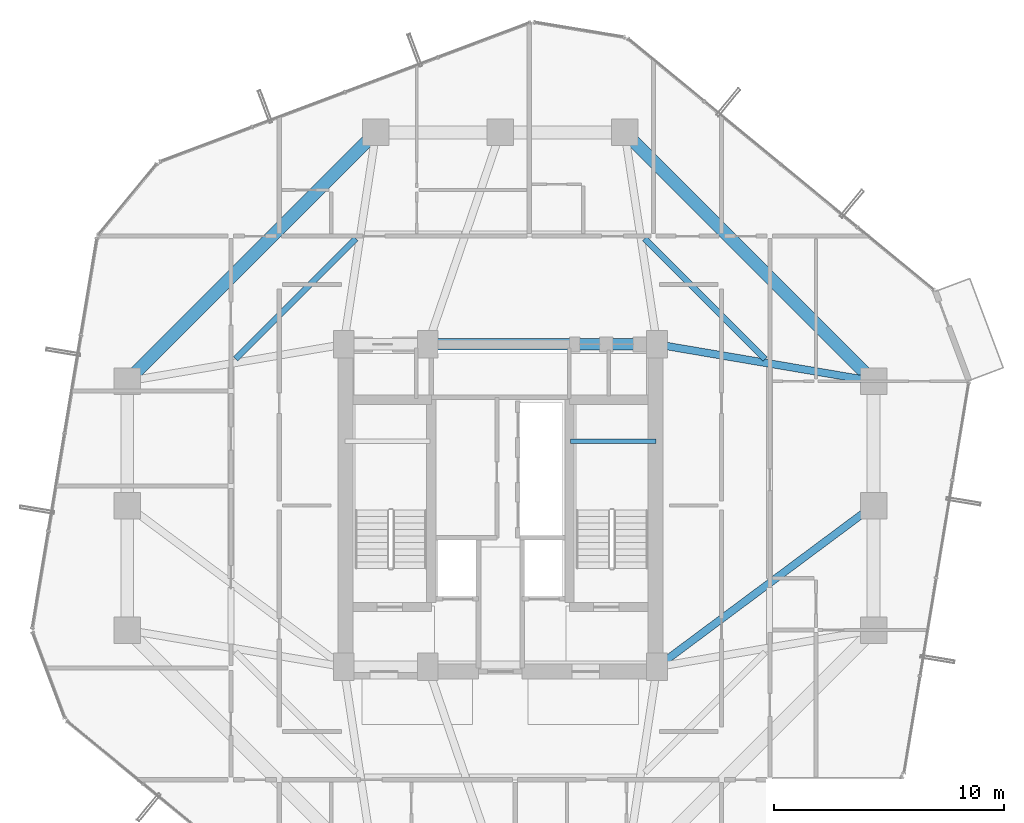
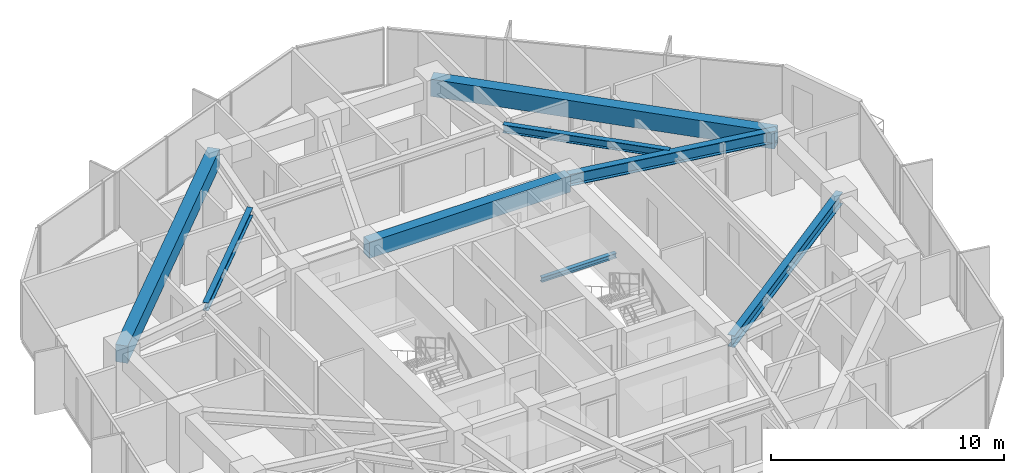
# One storey, part 15 of 30: 8 beams.
"""IFC4 building model written with IfcOpenShell, lengths in metres."""

from ifc_helpers import new_model, si_unit, direction, frame, origin, origin_2d, place, context, subcontext, project, spatial, rectangle, i_section, extrude, material, material_profile, profile_set, type_object, element, save


model = new_model("IFC4")

# Units and contexts
model_context = context("Model", 3, precision=1e-05, world=origin(), true_north=direction((0.0, 1.0)))
body_context = subcontext(model_context, "Body", "Model", "MODEL_VIEW")
ifc_project = project(units=[si_unit("LENGTHUNIT", "METRE"), si_unit("AREAUNIT", "SQUARE_METRE"), si_unit("VOLUMEUNIT", "CUBIC_METRE"), si_unit("PLANEANGLEUNIT", "RADIAN"), si_unit("MASSUNIT", "GRAM", prefix="KILO")], contexts=[model_context])

# Site, building, storey
site_placement = place(None, origin())
site = spatial("IfcSite", under=ifc_project, at=site_placement, CompositionType="ELEMENT")
building_placement = place(site_placement, origin())
building = spatial("IfcBuilding", under=site, at=building_placement, Name="Veraguas Prism Commons", CompositionType="ELEMENT")
storey_placement = place(building_placement, frame((0.0, 0.0, 95.949951171875)))
storey = spatial("IfcBuildingStorey", under=building, at=storey_placement, Name="L26", CompositionType="ELEMENT", Elevation=95.949951171875)

# Beams
ifc_material_1 = material(Name="Concrete C50/60", Category="concrete")
ifc_material_profile_1 = material_profile(ifc_material_1, rectangle(XDim=0.5, YDim=0.85009765625, at=origin_2d()), Name="RC500X850")
ifc_profile_set_1 = profile_set([ifc_material_profile_1], Name="Concrete C50/60")
beam_type_1 = type_object("IfcBeamType", Name="Core Coupling Beam RC 500x850", PredefinedType="BEAM", material=ifc_profile_set_1)
beam_1_placement = place(storey_placement, frame((20.85009765625, 31.0, 2.574951171875), z_axis=(1.0, 0.0, 0.0), x_axis=(0.0, 1.0, 0.0)))
element("IfcBeam", 1, at=beam_1_placement, inside=storey, type_object=beam_type_1, Name="Core Coupling Beam L26-CRN2", PredefinedType="BEAM", context=body_context, shape_type="SweptSolid", body=[
    extrude(rectangle(XDim=0.5, YDim=0.85009765625, at=origin_2d()), origin(), (0.0, 0.0, 1.0), 9.949951171875),
])
ifc_material_2 = material(Name="Steel ASTM A992 Grade 50", Category="steel")
ifc_material_profile_2 = material_profile(ifc_material_2, i_section(OverallWidth=0.260986328125, OverallDepth=0.419921875, WebThickness=0.01171875, FlangeThickness=0.019287109375, at=origin_2d()), Name="W410X114")
ifc_profile_set_2 = profile_set([ifc_material_profile_2], Name="Steel ASTM A992 Grade 50")
beam_type_2 = type_object("IfcBeamType", Name="Lower Floor Joist W410x114", PredefinedType="JOIST", material=ifc_profile_set_2)
for number, where, z_axis, x_axis, name in (
    (2, (35.489990234375, 30.365966796875, 2.7900390625), (-0.707090260193, 0.707123301794, 0.0), (-0.707123301794, -0.707090260193, 0.0), "Composite Floor Joist L26-JS03"),
    (3, (17.734619140625, 35.5908203125, 2.7900390625), (-0.707090260193, -0.707123301794, 0.0), (0.707123301794, -0.707090260193, 0.0), "Composite Floor Joist L26-JS06"),
):
    element("IfcBeam", number, at=place(storey_placement, frame(where, z_axis=z_axis, x_axis=x_axis)), inside=storey, type_object=beam_type_2, Name=name, PredefinedType="JOIST", context=body_context, shape_type="SweptSolid", body=[
        extrude(i_section(OverallWidth=0.260986328125, OverallDepth=0.419921875, WebThickness=0.01171875, FlangeThickness=0.019287109375, at=origin_2d()), origin(), (0.0, 0.0, 1.0), 7.388916015625),
    ])
ifc_material_profile_3 = material_profile(ifc_material_1, rectangle(XDim=0.550048828125, YDim=0.89990234375, at=origin_2d()), Name="RC550X900")
ifc_profile_set_3 = profile_set([ifc_material_profile_3], Name="Concrete C50/60")
beam_type_3 = type_object("IfcBeamType", Name="Perimeter Spandrel Lower RC 550x900", PredefinedType="SPANDREL", material=ifc_profile_set_3)
for number, where, z_axis, x_axis, name in (
    (4, (40.199951171875, 29.39990234375, 2.550048828125), (-0.707106781187, 0.707106781187, 0.0), (-0.707106781187, -0.707106781187, 0.0), "Perimeter Spandrel Beam L26-SP03"),
    (5, (18.60009765625, 40.199951171875, 2.550048828125), (-0.707106781187, -0.707106781187, 0.0), (0.707106781187, -0.707106781187, 0.0), "Perimeter Spandrel Beam L26-SP06"),
):
    element("IfcBeam", number, at=place(storey_placement, frame(where, z_axis=z_axis, x_axis=x_axis)), inside=storey, type_object=beam_type_3, Name=name, PredefinedType="SPANDREL", context=body_context, shape_type="SweptSolid", body=[
        extrude(rectangle(XDim=0.550048828125, YDim=0.89990234375, at=origin_2d()), origin(), (0.0, 0.0, 1.0), 15.273681640625),
    ])
ifc_material_profile_4 = material_profile(ifc_material_2, i_section(OverallWidth=0.202880859375, OverallDepth=0.251953125, WebThickness=0.008056640625, FlangeThickness=0.013427734375, at=origin_2d()), Name="W250X58")
ifc_profile_set_4 = profile_set([ifc_material_profile_4], Name="Steel ASTM A992 Grade 50")
beam_type_4 = type_object("IfcBeamType", Name="Structural Opening Lintel W250x58", PredefinedType="LINTEL", material=ifc_profile_set_4)
beam_2_placement = place(storey_placement, frame((27.050048828125, 26.800048828125, 1.299072265625), z_axis=(1.0, 0.0, 0.0), x_axis=(0.0, 1.0, 0.0)))
element("IfcBeam", 6, at=beam_2_placement, inside=storey, type_object=beam_type_4, Name="Stair ST-02 Half-Landing Support Beam L26-1", PredefinedType="LINTEL", context=body_context, shape_type="SweptSolid", body=[
    extrude(i_section(OverallWidth=0.202880859375, OverallDepth=0.251953125, WebThickness=0.008056640625, FlangeThickness=0.013427734375, at=origin_2d()), origin(), (0.0, 0.0, 1.0), 3.699951171875),
])
ifc_material_profile_5 = material_profile(ifc_material_2, i_section(OverallWidth=0.327880859375, OverallDepth=0.6220703125, WebThickness=0.015380859375, FlangeThickness=0.0244140625, at=origin_2d()), Name="W610X195")
ifc_profile_set_5 = profile_set([ifc_material_profile_5], Name="Steel ASTM A992 Grade 50")
beam_type_5 = type_object("IfcBeamType", Name="Zone 2 Radial Girder W610x195", PredefinedType="BEAM", material=ifc_profile_set_5)
beam_3_placement = place(storey_placement, frame((40.199951171875, 24.0, 2.68896484375), z_axis=(-0.802040137921, -0.597270137512, 0.0), x_axis=(0.597270137512, -0.802040137921, 0.0)))
element("IfcBeam", 7, at=beam_3_placement, inside=storey, type_object=beam_type_5, Name="Radial Floor Girder L26-RD02", PredefinedType="BEAM", context=body_context, shape_type="SweptSolid", body=[
    extrude(i_section(OverallWidth=0.327880859375, OverallDepth=0.6220703125, WebThickness=0.015380859375, FlangeThickness=0.0244140625, at=origin_2d()), origin(), (0.0, 0.0, 1.0), 11.719970703125),
])
beam_4_placement = place(storey_placement, frame((40.199951171875, 29.39990234375, 2.68896484375), z_axis=(-0.985819187151, 0.1678109956, 0.0), x_axis=(-0.1678109956, -0.985819187151, 0.0)))
element("IfcBeam", 8, at=beam_4_placement, inside=storey, type_object=beam_type_5, Name="Radial Floor Girder L26-RD03", PredefinedType="BEAM", context=body_context, shape_type="SweptSolid", body=[
    extrude(i_section(OverallWidth=0.327880859375, OverallDepth=0.6220703125, WebThickness=0.015380859375, FlangeThickness=0.0244140625, at=origin_2d()), origin(), (0.0, 0.0, 1.0), 9.53515625),
])

save(model, "model.ifc")
